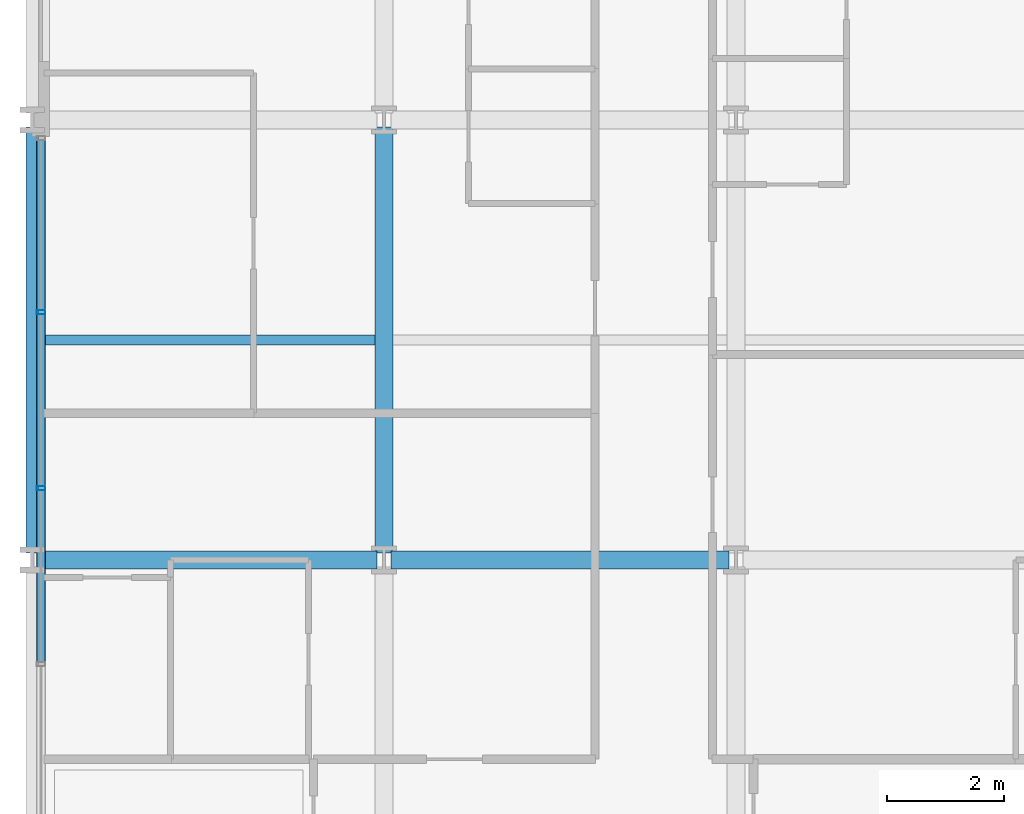
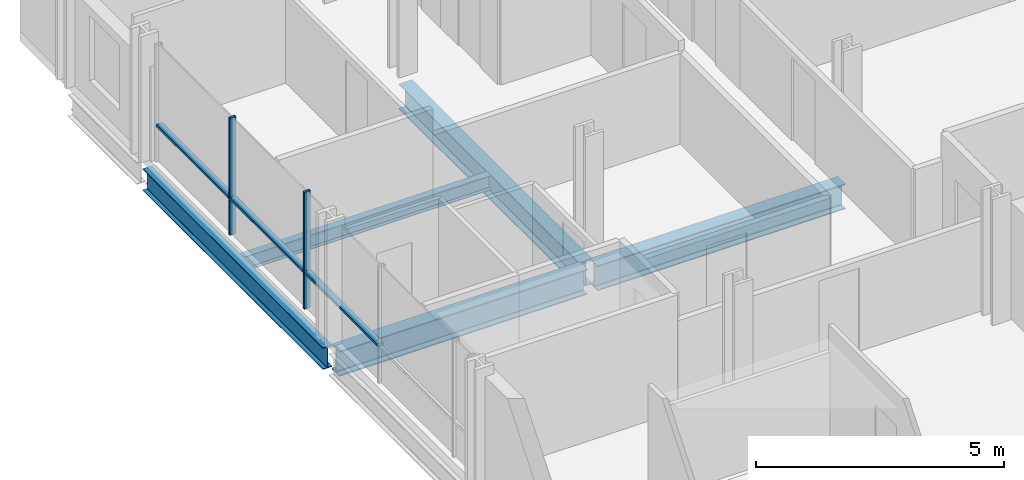
# One storey, part 5 of 41: 5 beams, 5 members, 1 element without a shape of its own.
"""IFC4 building model written with IfcOpenShell, lengths in metres."""

from ifc_helpers import new_model, si_unit, direction, frame, origin, origin_2d, place, context, subcontext, project, spatial, hollow_rectangle, i_section, extrude, material, layer, layer_set, material_profile, profile_set, type_object, element, aggregate, save


model = new_model("IFC4")

# Units and contexts
model_context = context("Model", 3, precision=1e-05, world=origin(), true_north=direction((0.0, 1.0)))
body_context = subcontext(model_context, "Body", "Model", "MODEL_VIEW")
ifc_project = project(units=[si_unit("LENGTHUNIT", "METRE"), si_unit("AREAUNIT", "SQUARE_METRE"), si_unit("VOLUMEUNIT", "CUBIC_METRE"), si_unit("PLANEANGLEUNIT", "RADIAN"), si_unit("MASSUNIT", "GRAM", prefix="KILO")], contexts=[model_context])

# Site, building, storey
site_placement = place(None, origin())
site = spatial("IfcSite", under=ifc_project, at=site_placement, CompositionType="ELEMENT")
building_placement = place(site_placement, origin())
building = spatial("IfcBuilding", under=site, at=building_placement, Name="Brevholm Reach", CompositionType="ELEMENT")
storey_placement = place(building_placement, frame((0.0, 0.0, 49.699951171875)))
storey = spatial("IfcBuildingStorey", under=building, at=storey_placement, Name="L13", CompositionType="ELEMENT", Elevation=49.699951171875)

# Beams
ifc_material_1 = material(Name="Structural Steel S355J2", Category="steel")
ifc_material_profile_1 = material_profile(ifc_material_1, i_section(OverallWidth=0.17138671875, OverallDepth=0.35498046875, WebThickness=0.00732421875, FlangeThickness=0.011474609375, FilletRadius=0.01025390625, at=origin_2d()), Name="UKB 356x171x51")
ifc_profile_set_1 = profile_set([ifc_material_profile_1], Name="Structural Steel S355J2")
beam_type_1 = type_object("IfcBeamType", Name="BM-B356", PredefinedType="BEAM", material=ifc_profile_set_1)
beam_1_placement = place(storey_placement, frame((0.10546875, 19.75, -0.407470703125), z_axis=(1.0, 0.0, 0.0), x_axis=(0.0, 1.0, 0.0)))
element("IfcBeam", 1, at=beam_1_placement, inside=storey, type_object=beam_type_1, Name="L13 Composite Secondary Floor Beam", PredefinedType="BEAM", context=body_context, shape_type="SweptSolid", body=[
    extrude(i_section(OverallWidth=0.17138671875, OverallDepth=0.35498046875, WebThickness=0.00732421875, FlangeThickness=0.011474609375, FilletRadius=0.01025390625, at=origin_2d()), origin(), (0.0, 0.0, 1.0), 5.740966796875),
])
ifc_material_2 = material(Name="Structural Steel S355J2", Category="steel")
ifc_material_profile_2 = material_profile(ifc_material_2, i_section(OverallWidth=0.210693359375, OverallDepth=0.53955078125, WebThickness=0.01171875, FlangeThickness=0.018798828125, FilletRadius=0.0126953125, at=origin_2d()), Name="UKB 533x210x109")
ifc_profile_set_2 = profile_set([ifc_material_profile_2], Name="Structural Steel S355J2")
beam_type_2 = type_object("IfcBeamType", Name="BM-SP539", PredefinedType="SPANDREL", material=ifc_profile_set_2)
beam_2_placement = place(storey_placement, frame((0.0, 16.1201171875, -0.499755859375), z_axis=(0.0, 1.0, 0.0), x_axis=(-1.0, 0.0, 0.0)))
element("IfcBeam", 2, at=beam_2_placement, inside=storey, type_object=beam_type_2, Name="L13 SP-01B Framing Beam", PredefinedType="SPANDREL", context=body_context, shape_type="SweptSolid", body=[
    extrude(i_section(OverallWidth=0.210693359375, OverallDepth=0.53955078125, WebThickness=0.01171875, FlangeThickness=0.018798828125, FilletRadius=0.0126953125, at=origin_2d()), origin(), (0.0, 0.0, 1.0), 7.259765625),
])
ifc_material_3 = material(Name="Structural Steel S355J2", Category="steel")
ifc_material_profile_3 = material_profile(ifc_material_3, i_section(OverallWidth=0.30712890625, OverallDepth=0.6201171875, WebThickness=0.01416015625, FlangeThickness=0.023681640625, FilletRadius=0.0166015625, at=origin_2d()), Name="UKB 610x305x179")
ifc_profile_set_3 = profile_set([ifc_material_profile_3], Name="Structural Steel S355J2")
beam_type_3 = type_object("IfcBeamType", Name="BM-UKB610H", PredefinedType="USERDEFINED", material=ifc_profile_set_3)
for number, where, z_axis, x_axis, name in (
    (3, (0.1201171875, 16.0, -0.5400390625), (1.0, 0.0, 0.0), (0.0, 1.0, 0.0), "L13 G-06 Framing Beam"),
    (4, (6.1201171875, 16.0, -0.5400390625), (1.0, 0.0, 0.0), (0.0, 1.0, 0.0), "L13 G-06 Framing Beam"),
):
    element("IfcBeam", number, at=place(storey_placement, frame(where, z_axis=z_axis, x_axis=x_axis)), inside=storey, type_object=beam_type_3, Name=name, ObjectType="GIRDER", PredefinedType="USERDEFINED", context=body_context, shape_type="SweptSolid", body=[
        extrude(i_section(OverallWidth=0.30712890625, OverallDepth=0.6201171875, WebThickness=0.01416015625, FlangeThickness=0.023681640625, FilletRadius=0.0166015625, at=origin_2d()), origin(), (0.0, 0.0, 1.0), 5.759765625),
    ])
beam_3_placement = place(storey_placement, frame((6.0, 16.1201171875, -0.5400390625), z_axis=(0.0, 1.0, 0.0), x_axis=(-1.0, 0.0, 0.0)))
element("IfcBeam", 5, at=beam_3_placement, inside=storey, type_object=beam_type_3, Name="L13 G-06 Framing Beam", ObjectType="GIRDER", PredefinedType="USERDEFINED", context=body_context, shape_type="SweptSolid", body=[
    extrude(i_section(OverallWidth=0.30712890625, OverallDepth=0.6201171875, WebThickness=0.01416015625, FlangeThickness=0.023681640625, FilletRadius=0.0166015625, at=origin_2d()), origin(), (0.0, 0.0, 1.0), 7.259765625),
])

# Curtain wall, members
ifc_material_4 = material(Name="Dark Anodised Aluminium 6063-T6 and Solar-Control Glass", Category="aluminium")
ifc_layer = layer(ifc_material_4, 0.14990234375)
ifc_layer_set = layer_set([ifc_layer], Name="Dark Anodised Aluminium 6063-T6 and Solar-Control Glass")
curtain_wall_type = type_object("IfcCurtainWallType", Name="CW-01", PredefinedType="NOTDEFINED", material=ifc_layer_set)
curtain_wall_placement = place(storey_placement, origin())
curtain_wall = element("IfcCurtainWall", 6, at=curtain_wall_placement, inside=storey, type_object=curtain_wall_type, Name="L13 Curtain Wall CW-01", PredefinedType="NOTDEFINED")
ifc_material_5 = material(Name="Dark Anodised Aluminium 6063-T6", Category="aluminium")
ifc_material_profile_4 = material_profile(ifc_material_5, hollow_rectangle(XDim=0.06494140625, YDim=0.14990234375, WallThickness=0.0048828125, InnerFilletRadius=0.0048828125, OuterFilletRadius=0.010009765625, at=origin_2d()), Name="RHS 150x65x5")
ifc_profile_set_4 = profile_set([ifc_material_profile_4], Name="Dark Anodised Aluminium 6063-T6")
member_type_1 = type_object("IfcMemberType", Name="CWM-150", PredefinedType="MULLION", material=ifc_profile_set_4)
member_1_placement = place(storey_placement, frame((0.14990234375, 20.219970703125, 0.0), z_axis=(0.0, 0.0, 1.0), x_axis=(0.0, -1.0, 0.0)))
member_1 = element("IfcMember", 7, at=member_1_placement, type_object=member_type_1, Name="CM-150 Mullion 2", PredefinedType="MULLION", context=body_context, shape_type="SweptSolid", body=[
    extrude(hollow_rectangle(XDim=0.06494140625, YDim=0.14990234375, WallThickness=0.0048828125, InnerFilletRadius=0.0048828125, OuterFilletRadius=0.010009765625, at=origin_2d()), origin(), (0.0, 0.0, 1.0), 2.8701171875),
])
member_2_placement = place(storey_placement, frame((0.14990234375, 17.219970703125, 0.0), z_axis=(0.0, 0.0, 1.0), x_axis=(0.0, -1.0, 0.0)))
member_2 = element("IfcMember", 8, at=member_2_placement, type_object=member_type_1, Name="CM-150 Mullion 3", PredefinedType="MULLION", context=body_context, shape_type="SweptSolid", body=[
    extrude(hollow_rectangle(XDim=0.06494140625, YDim=0.14990234375, WallThickness=0.0048828125, InnerFilletRadius=0.0048828125, OuterFilletRadius=0.010009765625, at=origin_2d()), origin(), (0.0, 0.0, 1.0), 2.8701171875),
])
ifc_material_6 = material(Name="Dark Anodised Aluminium 6063-T6", Category="aluminium")
ifc_material_profile_5 = material_profile(ifc_material_6, hollow_rectangle(XDim=0.06494140625, YDim=0.14990234375, WallThickness=0.0048828125, InnerFilletRadius=0.0048828125, OuterFilletRadius=0.010009765625, at=origin_2d()), Name="RHS 150x65x5")
ifc_profile_set_5 = profile_set([ifc_material_profile_5], Name="Dark Anodised Aluminium 6063-T6")
member_type_2 = type_object("IfcMemberType", Name="CWT-150", PredefinedType="NOTDEFINED", material=ifc_profile_set_5)
member_3_placement = place(storey_placement, frame((0.14990234375, 23.155029296875, 0.900146484375), z_axis=(0.0, -1.0, 0.0), x_axis=(0.0, 0.0, 1.0)))
member_3 = element("IfcMember", 9, at=member_3_placement, type_object=member_type_2, Name="CT-150 Transom 1.1", ObjectType="TRANSOM", PredefinedType="USERDEFINED", context=body_context, shape_type="SweptSolid", body=[
    extrude(hollow_rectangle(XDim=0.06494140625, YDim=0.14990234375, WallThickness=0.0048828125, InnerFilletRadius=0.0048828125, OuterFilletRadius=0.010009765625, at=origin_2d()), origin(), (0.0, 0.0, 1.0), 2.902587890625),
])
member_4_placement = place(storey_placement, frame((0.14990234375, 20.1875, 0.900146484375), z_axis=(0.0, -1.0, 0.0), x_axis=(0.0, 0.0, 1.0)))
member_4 = element("IfcMember", 10, at=member_4_placement, type_object=member_type_2, Name="CT-150 Transom 2.1", ObjectType="TRANSOM", PredefinedType="USERDEFINED", context=body_context, shape_type="SweptSolid", body=[
    extrude(hollow_rectangle(XDim=0.06494140625, YDim=0.14990234375, WallThickness=0.0048828125, InnerFilletRadius=0.0048828125, OuterFilletRadius=0.010009765625, at=origin_2d()), origin(), (0.0, 0.0, 1.0), 2.93505859375),
])
member_5_placement = place(storey_placement, frame((0.14990234375, 17.1875, 0.900146484375), z_axis=(0.0, -1.0, 0.0), x_axis=(0.0, 0.0, 1.0)))
member_5 = element("IfcMember", 11, at=member_5_placement, type_object=member_type_2, Name="CT-150 Transom 3.1", ObjectType="TRANSOM", PredefinedType="USERDEFINED", context=body_context, shape_type="SweptSolid", body=[
    extrude(hollow_rectangle(XDim=0.06494140625, YDim=0.14990234375, WallThickness=0.0048828125, InnerFilletRadius=0.0048828125, OuterFilletRadius=0.010009765625, at=origin_2d()), origin(), (0.0, 0.0, 1.0), 2.93505859375),
])
aggregate(curtain_wall, [member_1, member_2, member_3, member_4, member_5])

save(model, "model.ifc")
